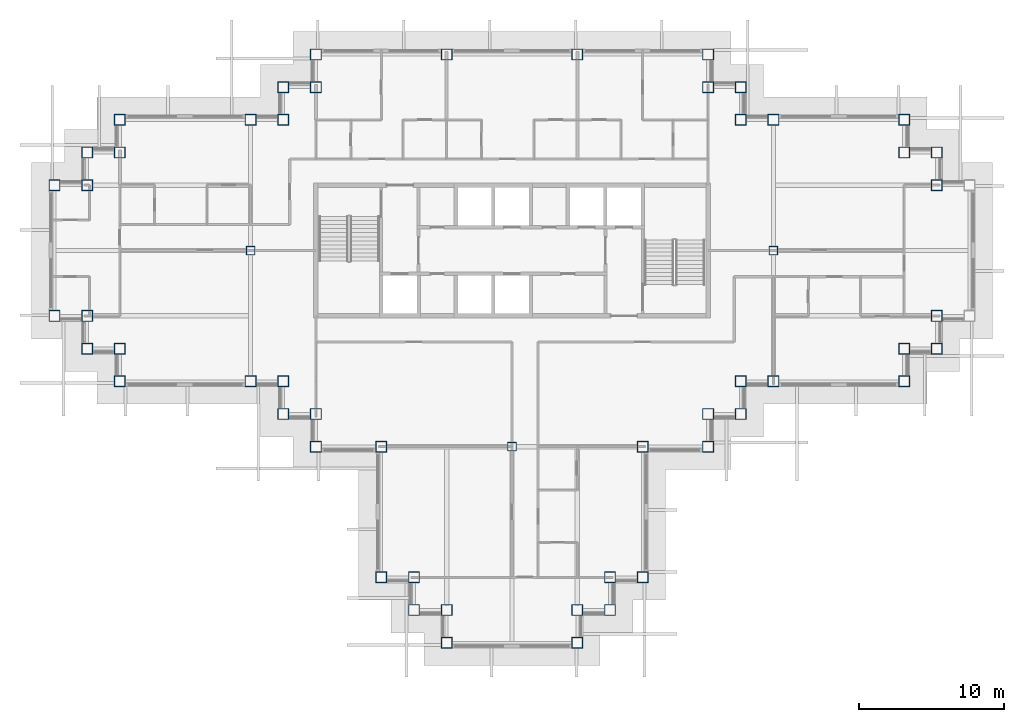
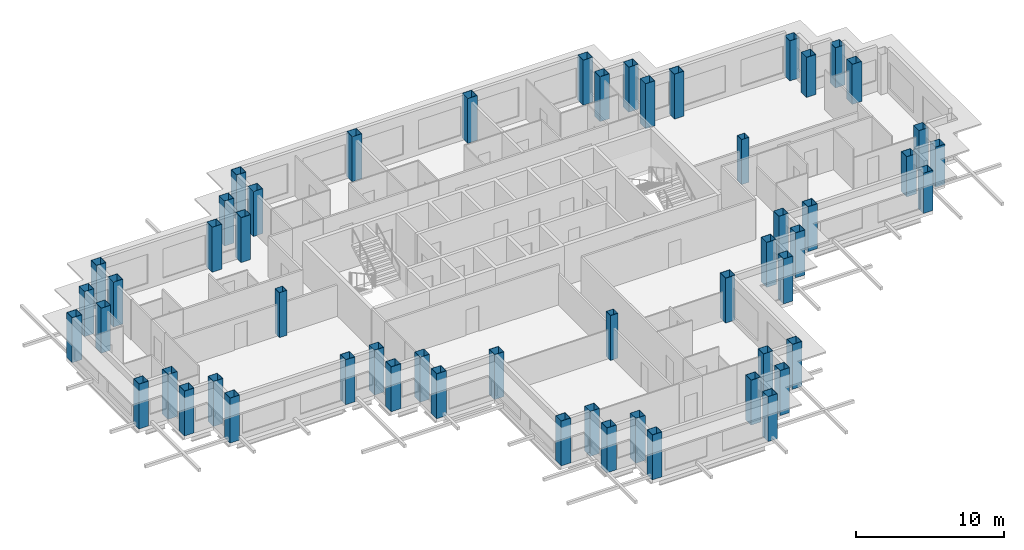
# One storey, part 1 of 14: 55 columns.
"""IFC4 building model written with IfcOpenShell, lengths in metres."""

from ifc_helpers import new_model, si_unit, direction, frame, origin, origin_2d, place, context, subcontext, project, spatial, hollow_rectangle, extrude, material, material_profile, profile_set, type_object, element, save


model = new_model("IFC4")

# Units and contexts
model_context = context("Model", 3, precision=1e-05, world=origin(), true_north=direction((0.0, 1.0)))
body_context = subcontext(model_context, "Body", "Model", "MODEL_VIEW")
ifc_project = project(units=[si_unit("LENGTHUNIT", "METRE"), si_unit("AREAUNIT", "SQUARE_METRE"), si_unit("VOLUMEUNIT", "CUBIC_METRE"), si_unit("PLANEANGLEUNIT", "RADIAN"), si_unit("MASSUNIT", "GRAM", prefix="KILO")], contexts=[model_context])

# Site, building, storey
site_placement = place(None, origin())
site = spatial("IfcSite", under=ifc_project, at=site_placement, CompositionType="ELEMENT")
building_placement = place(site_placement, origin())
building = spatial("IfcBuilding", under=site, at=building_placement, Name="Caravel Reach Hotel and Residences", CompositionType="ELEMENT")
storey_placement = place(building_placement, frame((0.0, 0.0, 183.89990234375)))
storey = spatial("IfcBuildingStorey", under=building, at=storey_placement, Name="L46", CompositionType="ELEMENT", Elevation=183.89990234375)

# Columns
ifc_material_1 = material(Name="Concrete-filled steel tube Q390B with Concrete C60 infill", Category="concrete")
ifc_material_profile_1 = material_profile(ifc_material_1, hollow_rectangle(XDim=0.60009765625, YDim=0.60009765625, WallThickness=0.02001953125, at=origin_2d()), Name="RHS 600x600x20")
ifc_profile_set_1 = profile_set([ifc_material_profile_1], Name="Concrete-filled steel tube Q390B with Concrete C60 infill")
column_type_1 = type_object("IfcColumnType", Name="CFT 600x600 Q390B C60", PredefinedType="COLUMN", material=ifc_profile_set_1)
for number, where, z_axis, x_axis, name in (
    (1, (31.5, 13.5, 0.0), (0.0, 0.0, 1.0), (1.0, 0.0, 0.0), "C8 column"),
    (2, (13.5, 27.0, 0.0), (0.0, 0.0, 1.0), (1.0, 0.0, 0.0), "C8 column"),
    (3, (49.5, 27.0, 0.0), (0.0, 0.0, 1.0), (1.0, 0.0, 0.0), "C8 column"),
):
    element("IfcColumn", number, at=place(storey_placement, frame(where, z_axis=z_axis, x_axis=x_axis)), inside=storey, type_object=column_type_1, Name=name, PredefinedType="COLUMN", context=body_context, shape_type="SweptSolid", body=[
        extrude(hollow_rectangle(XDim=0.60009765625, YDim=0.60009765625, WallThickness=0.02001953125, at=origin_2d()), origin(), (0.0, 0.0, 1.0), 3.7001953125),
    ])
ifc_material_2 = material(Name="Concrete-filled steel tube Q390B with Concrete C60 infill", Category="concrete")
ifc_material_profile_2 = material_profile(ifc_material_2, hollow_rectangle(XDim=0.75, YDim=0.75, WallThickness=0.02392578125, at=origin_2d()), Name="RHS 750x750x24")
ifc_profile_set_2 = profile_set([ifc_material_profile_2], Name="Concrete-filled steel tube Q390B with Concrete C60 infill")
column_type_2 = type_object("IfcColumnType", Name="CFT 750x750 Q390B C60", PredefinedType="COLUMN", material=ifc_profile_set_2)
for number, where, z_axis, x_axis, name in (
    (4, (22.5, 4.5, 0.0), (0.0, 0.0, 1.0), (1.0, 0.0, 0.0), "C14 column"),
    (5, (24.75, 4.5, 0.0), (0.0, 0.0, 1.0), (1.0, 0.0, 0.0), "C14 column"),
    (6, (24.75, 2.25, 0.0), (0.0, 0.0, 1.0), (1.0, 0.0, 0.0), "C14 column"),
    (7, (27.0, 2.25, 0.0), (0.0, 0.0, 1.0), (1.0, 0.0, 0.0), "C14 column"),
    (8, (27.0, 0.0, 0.0), (0.0, 0.0, 1.0), (1.0, 0.0, 0.0), "C14 column"),
    (9, (36.0, 0.0, 0.0), (0.0, 0.0, 1.0), (1.0, 0.0, 0.0), "C14 column"),
    (10, (36.0, 2.25, 0.0), (0.0, 0.0, 1.0), (1.0, 0.0, 0.0), "C14 column"),
    (11, (38.25, 2.25, 0.0), (0.0, 0.0, 1.0), (1.0, 0.0, 0.0), "C14 column"),
    (12, (38.25, 4.5, 0.0), (0.0, 0.0, 1.0), (1.0, 0.0, 0.0), "C14 column"),
    (13, (40.5, 4.5, 0.0), (0.0, 0.0, 1.0), (1.0, 0.0, 0.0), "C14 column"),
    (14, (40.5, 13.5, 0.0), (0.0, 0.0, 1.0), (1.0, 0.0, 0.0), "C14 column"),
    (15, (45.0, 13.5, 0.0), (0.0, 0.0, 1.0), (1.0, 0.0, 0.0), "C14 column"),
    (16, (45.0, 15.75, 0.0), (0.0, 0.0, 1.0), (1.0, 0.0, 0.0), "C14 column"),
    (17, (47.25, 15.75, 0.0), (0.0, 0.0, 1.0), (1.0, 0.0, 0.0), "C14 column"),
    (18, (47.25, 18.0, 0.0), (0.0, 0.0, 1.0), (1.0, 0.0, 0.0), "C14 column"),
    (19, (49.5, 18.0, 0.0), (0.0, 0.0, 1.0), (1.0, 0.0, 0.0), "C14 column"),
):
    element("IfcColumn", number, at=place(storey_placement, frame(where, z_axis=z_axis, x_axis=x_axis)), inside=storey, type_object=column_type_2, Name=name, PredefinedType="COLUMN", context=body_context, shape_type="SweptSolid", body=[
        extrude(hollow_rectangle(XDim=0.75, YDim=0.75, WallThickness=0.02392578125, at=origin_2d()), origin(), (0.0, 0.0, 1.0), 3.7001953125),
    ])
for number, where, z_axis, x_axis, name in (
    (20, (58.5, 18.0, 0.0), (0.0, 0.0, 1.0), (1.0, 0.0, 0.0), "C14 column"),
    (21, (58.5, 20.25, 0.0), (0.0, 0.0, 1.0), (1.0, 0.0, 0.0), "C14 column"),
    (22, (60.75, 20.25, 0.0), (0.0, 0.0, 1.0), (1.0, 0.0, 0.0), "C14 column"),
    (23, (60.75, 22.5, 0.0), (0.0, 0.0, 1.0), (1.0, 0.0, 0.0), "C14 column"),
    (24, (60.75, 31.5, 0.0), (0.0, 0.0, 1.0), (1.0, 0.0, 0.0), "C14 column"),
    (25, (60.75, 33.75, 0.0), (0.0, 0.0, 1.0), (1.0, 0.0, 0.0), "C14 column"),
    (26, (58.5, 33.75, 0.0), (0.0, 0.0, 1.0), (1.0, 0.0, 0.0), "C14 column"),
    (27, (58.5, 36.0, 0.0), (0.0, 0.0, 1.0), (1.0, 0.0, 0.0), "C14 column"),
):
    element("IfcColumn", number, at=place(storey_placement, frame(where, z_axis=z_axis, x_axis=x_axis)), inside=storey, type_object=column_type_2, Name=name, PredefinedType="COLUMN", context=body_context, shape_type="SweptSolid", body=[
        extrude(hollow_rectangle(XDim=0.75, YDim=0.75, WallThickness=0.02392578125, at=origin_2d()), origin(), (0.0, 0.0, 1.0), 3.300048828125),
    ])
for number, where, z_axis, x_axis, name in (
    (28, (49.5, 36.0, 0.0), (0.0, 0.0, 1.0), (1.0, 0.0, 0.0), "C14 column"),
    (29, (47.25, 36.0, 0.0), (0.0, 0.0, 1.0), (1.0, 0.0, 0.0), "C14 column"),
    (30, (47.25, 38.25, 0.0), (0.0, 0.0, 1.0), (1.0, 0.0, 0.0), "C14 column"),
    (31, (45.0, 38.25, 0.0), (0.0, 0.0, 1.0), (1.0, 0.0, 0.0), "C14 column"),
    (32, (45.0, 40.5, 0.0), (0.0, 0.0, 1.0), (1.0, 0.0, 0.0), "C14 column"),
    (33, (36.0, 40.5, 0.0), (0.0, 0.0, 1.0), (1.0, 0.0, 0.0), "C14 column"),
    (34, (27.0, 40.5, 0.0), (0.0, 0.0, 1.0), (1.0, 0.0, 0.0), "C14 column"),
    (35, (18.0, 40.5, 0.0), (0.0, 0.0, 1.0), (1.0, 0.0, 0.0), "C14 column"),
    (36, (18.0, 38.25, 0.0), (0.0, 0.0, 1.0), (1.0, 0.0, 0.0), "C14 column"),
    (37, (15.75, 38.25, 0.0), (0.0, 0.0, 1.0), (1.0, 0.0, 0.0), "C14 column"),
    (38, (15.75, 36.0, 0.0), (0.0, 0.0, 1.0), (1.0, 0.0, 0.0), "C14 column"),
    (39, (13.5, 36.0, 0.0), (0.0, 0.0, 1.0), (1.0, 0.0, 0.0), "C14 column"),
    (40, (4.5, 36.0, 0.0), (0.0, 0.0, 1.0), (1.0, 0.0, 0.0), "C14 column"),
    (41, (4.5, 33.75, 0.0), (0.0, 0.0, 1.0), (1.0, 0.0, 0.0), "C14 column"),
    (42, (2.25, 33.75, 0.0), (0.0, 0.0, 1.0), (1.0, 0.0, 0.0), "C14 column"),
    (43, (2.25, 31.5, 0.0), (0.0, 0.0, 1.0), (1.0, 0.0, 0.0), "C14 column"),
    (44, (0.0, 31.5, 0.0), (0.0, 0.0, 1.0), (1.0, 0.0, 0.0), "C14 column"),
    (45, (0.0, 22.5, 0.0), (0.0, 0.0, 1.0), (1.0, 0.0, 0.0), "C14 column"),
    (46, (2.25, 22.5, 0.0), (0.0, 0.0, 1.0), (1.0, 0.0, 0.0), "C14 column"),
    (47, (2.25, 20.25, 0.0), (0.0, 0.0, 1.0), (1.0, 0.0, 0.0), "C14 column"),
    (48, (4.5, 20.25, 0.0), (0.0, 0.0, 1.0), (1.0, 0.0, 0.0), "C14 column"),
    (49, (4.5, 18.0, 0.0), (0.0, 0.0, 1.0), (1.0, 0.0, 0.0), "C14 column"),
    (50, (13.5, 18.0, 0.0), (0.0, 0.0, 1.0), (1.0, 0.0, 0.0), "C14 column"),
    (51, (15.75, 18.0, 0.0), (0.0, 0.0, 1.0), (1.0, 0.0, 0.0), "C14 column"),
    (52, (15.75, 15.75, 0.0), (0.0, 0.0, 1.0), (1.0, 0.0, 0.0), "C14 column"),
    (53, (18.0, 15.75, 0.0), (0.0, 0.0, 1.0), (1.0, 0.0, 0.0), "C14 column"),
    (54, (18.0, 13.5, 0.0), (0.0, 0.0, 1.0), (1.0, 0.0, 0.0), "C14 column"),
    (55, (22.5, 13.5, 0.0), (0.0, 0.0, 1.0), (1.0, 0.0, 0.0), "C14 column"),
):
    element("IfcColumn", number, at=place(storey_placement, frame(where, z_axis=z_axis, x_axis=x_axis)), inside=storey, type_object=column_type_2, Name=name, PredefinedType="COLUMN", context=body_context, shape_type="SweptSolid", body=[
        extrude(hollow_rectangle(XDim=0.75, YDim=0.75, WallThickness=0.02392578125, at=origin_2d()), origin(), (0.0, 0.0, 1.0), 3.7001953125),
    ])

save(model, "model.ifc")
